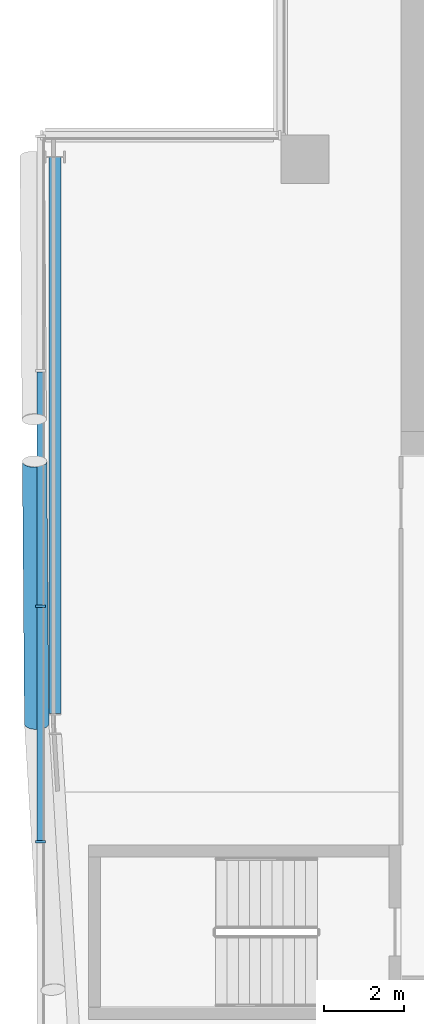
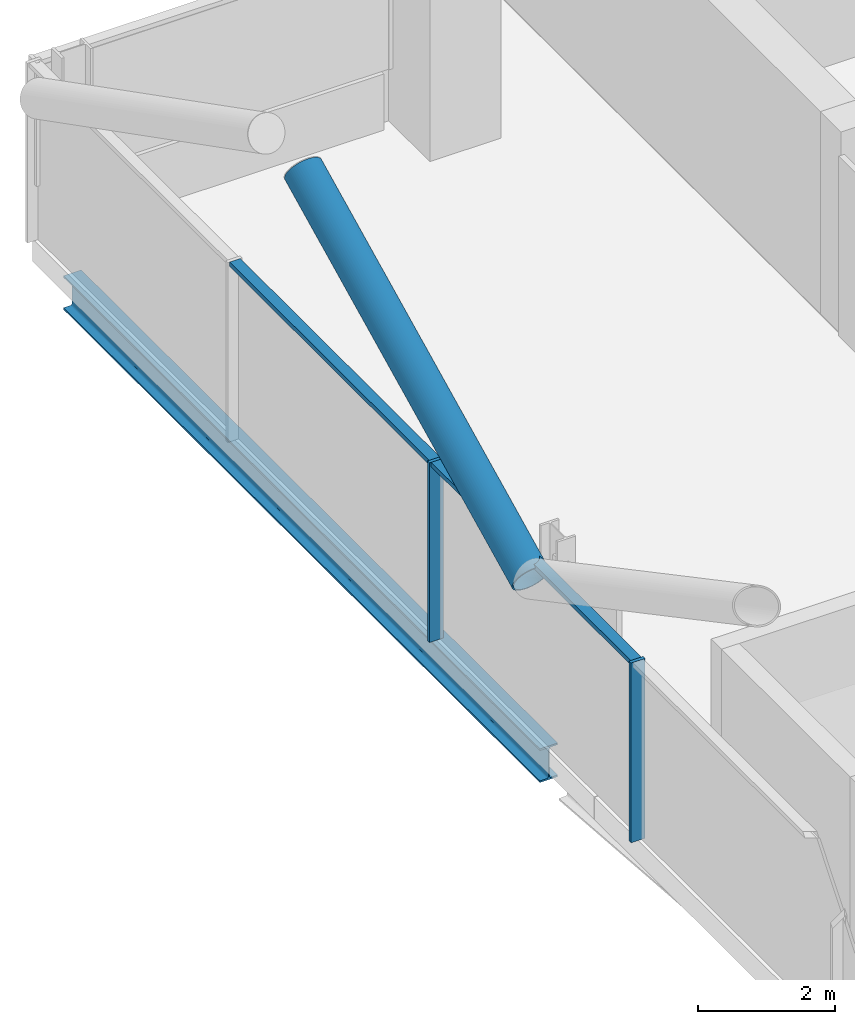
# One storey, part 7 of 25: 5 members, 1 beam, 1 element without a shape of its own.
"""IFC4 building model written with IfcOpenShell, lengths in metres."""

from ifc_helpers import new_model, si_unit, direction, frame, origin, origin_2d, place, context, subcontext, project, spatial, rectangle, hollow_circle, i_section, extrude, material, material_profile, profile_set, type_object, element, aggregate, save


model = new_model("IFC4")

# Units and contexts
model_context = context("Model", 3, precision=1e-05, world=origin(), true_north=direction((0.0, 1.0)))
body_context = subcontext(model_context, "Body", "Model", "MODEL_VIEW")
ifc_project = project(units=[si_unit("LENGTHUNIT", "METRE"), si_unit("AREAUNIT", "SQUARE_METRE"), si_unit("VOLUMEUNIT", "CUBIC_METRE"), si_unit("PLANEANGLEUNIT", "RADIAN"), si_unit("MASSUNIT", "GRAM", prefix="KILO")], contexts=[model_context])

# Site, building, storey
site_placement = place(None, origin())
site = spatial("IfcSite", under=ifc_project, at=site_placement, CompositionType="ELEMENT")
building_placement = place(site_placement, origin())
building = spatial("IfcBuilding", under=site, at=building_placement, Name="Wharfspan Tower", CompositionType="ELEMENT")
storey_placement = place(building_placement, frame((0.0, 0.0, 239.5)))
storey = spatial("IfcBuildingStorey", under=building, at=storey_placement, Name="L60", CompositionType="ELEMENT", Elevation=239.5)

# Beam
ifc_material_1 = material(Name="Steel S355J2", Category="steel")
ifc_material_profile_1 = material_profile(ifc_material_1, i_section(OverallWidth=0.300049, OverallDepth=0.600098, WebThickness=0.015381, FlangeThickness=0.030029, FilletRadius=0.0271, at=origin_2d()))
ifc_profile_set_1 = profile_set([ifc_material_profile_1], Name="Steel S355J2")
beam_type = type_object("IfcBeamType", Name="Edge beam HEB 600", PredefinedType="SPANDREL", material=ifc_profile_set_1)
beam_placement = place(storey_placement, frame((14.356934, 41.453125, -0.699951), z_axis=(0.000211, -1.0, 0.0), x_axis=(1.0, 0.000211, 0.0)))
element("IfcBeam", 1, at=beam_placement, inside=storey, type_object=beam_type, Name="Edge beam W L60 PNRW-H.1 to PW.1", PredefinedType="SPANDREL", context=body_context, shape_type="SweptSolid", body=[
    extrude(i_section(OverallWidth=0.300049, OverallDepth=0.600098, WebThickness=0.015381, FlangeThickness=0.030029, FilletRadius=0.0271, at=origin_2d()), origin(), (0.0, 0.0, 1.0), 13.89502),
])

# Curtain wall, members
ifc_material_2 = material(Name="Aluminium 6063-T6", Category="aluminium")
curtain_wall_type = type_object("IfcCurtainWallType", Name="CURTAIN WALL PROW AND END", PredefinedType="NOTDEFINED", material=ifc_material_2)
curtain_wall_placement = place(storey_placement, origin())
curtain_wall = element("IfcCurtainWall", 2, at=curtain_wall_placement, inside=storey, type_object=curtain_wall_type, Name="Curtain wall W", PredefinedType="NOTDEFINED")
ifc_material_profile_2 = material_profile(ifc_material_2, rectangle(XDim=0.23999, YDim=0.060059, at=origin_2d()))
ifc_profile_set_2 = profile_set([ifc_material_profile_2], Name="Aluminium 6063-T6")
member_type_1 = type_object("IfcMemberType", Name="MULLION PROW AND END 60x240", PredefinedType="MULLION", material=ifc_profile_set_2)
member_1_placement = place(storey_placement, frame((14.0, 30.23999, 0.0), z_axis=(0.0, 0.0, 1.0), x_axis=(1.0, 0.0, 0.0)))
member_1 = element("IfcMember", 3, at=member_1_placement, type_object=member_type_1, Name="Curtain wall W mullion 3", PredefinedType="MULLION", context=body_context, shape_type="SweptSolid", body=[
    extrude(rectangle(XDim=0.23999, YDim=0.060059, at=origin_2d()), origin(), (0.0, 0.0, 1.0), 3.199951),
])
member_2_placement = place(storey_placement, frame((14.0, 24.360107, 0.0), z_axis=(0.0, 0.0, 1.0), x_axis=(1.0, 0.0, 0.0)))
member_2 = element("IfcMember", 4, at=member_2_placement, type_object=member_type_1, Name="Curtain wall W mullion 4", PredefinedType="MULLION", context=body_context, shape_type="SweptSolid", body=[
    extrude(rectangle(XDim=0.23999, YDim=0.060059, at=origin_2d()), origin(), (0.0, 0.0, 1.0), 3.199951),
])

# Member
ifc_material_3 = material(Name="Steel S460NH", Category="steel")
ifc_material_profile_3 = material_profile(ifc_material_3, hollow_circle(Radius=0.304932, WallThickness=0.024902, at=origin_2d()))
ifc_profile_set_3 = profile_set([ifc_material_profile_3], Name="Steel S460NH")
member_type_2 = type_object("IfcMemberType", Name="Mega brace CHS 610x25", PredefinedType="BRACE", material=ifc_profile_set_3)
member_3_placement = place(storey_placement, frame((13.905029, 27.300049, 2.899902), z_axis=(-0.007044, 0.891347, 0.453266), x_axis=(-0.999973, -0.007904, 3e-06)))
element("IfcMember", 5, at=member_3_placement, inside=storey, type_object=member_type_2, Name="Mega brace W3 L61 part 3", PredefinedType="BRACE", context=body_context, shape_type="SweptSolid", body=[
    extrude(hollow_circle(Radius=0.304932, WallThickness=0.024902, at=origin_2d()), origin(), (0.0, 0.0, 1.0), 7.347412),
])

ifc_material_profile_4 = material_profile(ifc_material_2, rectangle(XDim=0.179932, YDim=0.080078, at=origin_2d()))
ifc_profile_set_4 = profile_set([ifc_material_profile_4], Name="Aluminium 6063-T6")
member_type_3 = type_object("IfcMemberType", Name="TRANSOM PROW AND END 80x180", PredefinedType="USERDEFINED", material=ifc_profile_set_4)
member_4_placement = place(storey_placement, frame((14.0, 36.090088, 3.159912), z_axis=(0.0, -1.0, 0.0), x_axis=(1.0, 0.0, 0.0)))
member_4 = element("IfcMember", 6, at=member_4_placement, type_object=member_type_3, Name="Curtain wall W transom 2", ObjectType="TRANSOM", PredefinedType="USERDEFINED", context=body_context, shape_type="SweptSolid", body=[
    extrude(rectangle(XDim=0.179932, YDim=0.080078, at=origin_2d()), origin(), (0.0, 0.0, 1.0), 5.820068),
])

member_5_placement = place(storey_placement, frame((14.0, 30.209961, 3.159912), z_axis=(0.0, -1.0, 0.0), x_axis=(1.0, 0.0, 0.0)))
member_5 = element("IfcMember", 7, at=member_5_placement, type_object=member_type_3, Name="Curtain wall W transom 3", ObjectType="TRANSOM", PredefinedType="USERDEFINED", context=body_context, shape_type="SweptSolid", body=[
    extrude(rectangle(XDim=0.179932, YDim=0.080078, at=origin_2d()), origin(), (0.0, 0.0, 1.0), 5.820068),
])

aggregate(curtain_wall, [member_1, member_2, member_4, member_5])

save(model, "model.ifc")
